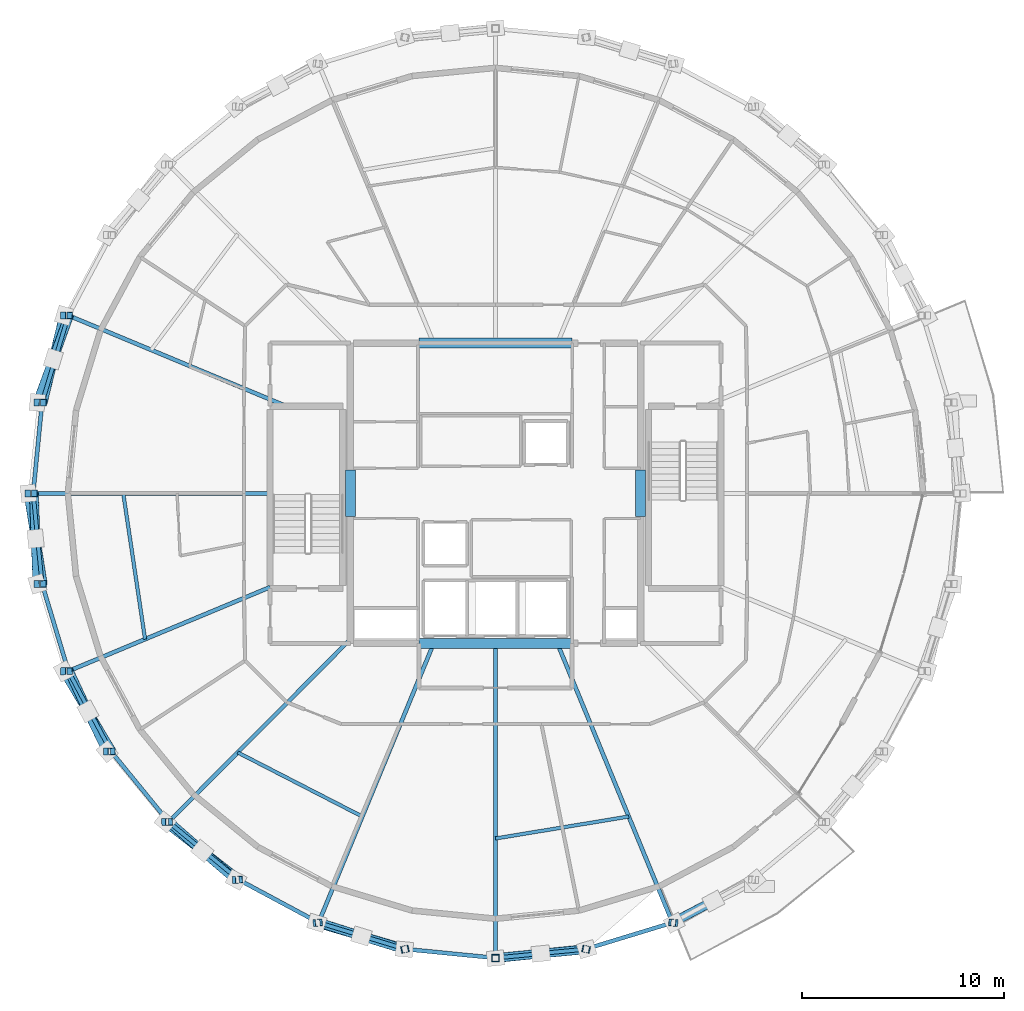
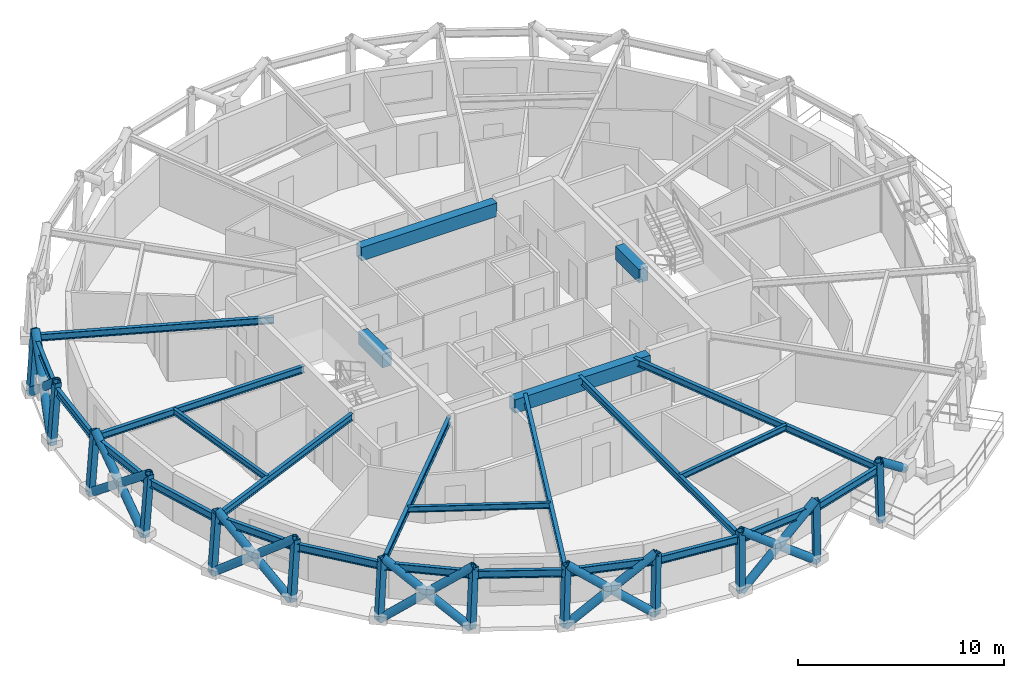
# One storey, part 1 of 12: 32 members, 26 beams.
"""IFC4 building model written with IfcOpenShell, lengths in metres."""

import ifcopenshell
import ifcopenshell.guid

model = None  # the IFC model being written
_history = None  # IfcOwnerHistory: only IFC2X3 demands one
_inside = {}  # id of a spatial element -> (the spatial element, [elements in it])
_under = {}  # id of a project, library or spatial element -> (it, [spatial elements below it])
_declared = {}  # id of a project -> (the project, [libraries it declares])
_typed = {}  # id of a type object -> (the type object, [elements of that type])
_made_of = {}  # id of a material, layer set ... -> (it, [elements and type objects made of it])


def new_model(schema):
    """Start an empty IFC model of exactly this schema.

    Asked for "IFC4X3", IfcOpenShell would pick the latest addendum, in which some entities
    have other attributes; the version numbers below select the first issue.
    IFC2X3 requires an IfcOwnerHistory on every rooted entity: one is made here for all.
    """
    global model, _history
    if schema == "IFC4X3":
        model = ifcopenshell.file(schema_version=(4, 3, 0, 0))
    else:
        model = ifcopenshell.file(schema=schema)
    _inside.clear()
    _under.clear()
    _declared.clear()
    _typed.clear()
    _made_of.clear()
    _history = None
    if model.schema == "IFC2X3":
        org = make("IfcOrganization", Name="unknown")
        user = make(
            "IfcPersonAndOrganization",
            ThePerson=make("IfcPerson", FamilyName="unknown"),
            TheOrganization=org,
        )
        app = make(
            "IfcApplication",
            ApplicationDeveloper=org,
            Version="unknown",
            ApplicationFullName="unknown",
            ApplicationIdentifier="unknown",
        )
        _history = make(
            "IfcOwnerHistory",
            OwningUser=user,
            OwningApplication=app,
            ChangeAction="ADDED",
            CreationDate=0,
        )
    return model


def make(cls, **values):
    """One entity of the class cls with the attributes given. An attribute that is None is left unset."""
    return model.create_entity(
        cls, **{name: value for name, value in values.items() if value is not None}
    )


def rooted(cls, **values):
    """An entity with a GlobalId (a new one), such as an element, a storey or a relation."""
    return make(cls, GlobalId=ifcopenshell.guid.new(), OwnerHistory=_history, **values)


def si_unit(unit_type, name, prefix=None):
    """IfcSIUnit, for example si_unit("LENGTHUNIT", "METRE", prefix="MILLI")."""
    return make("IfcSIUnit", UnitType=unit_type, Prefix=prefix, Name=name)


def assignment(units):
    """IfcUnitAssignment: the units of a project."""
    return None if units is None else make("IfcUnitAssignment", Units=units)


def point(xyz):
    """IfcCartesianPoint."""
    return None if xyz is None else make("IfcCartesianPoint", Coordinates=xyz)


def direction(xyz):
    """IfcDirection."""
    return None if xyz is None else make("IfcDirection", DirectionRatios=xyz)


def frame(location, z_axis=None, x_axis=None):
    """IfcAxis2Placement3D, a coordinate frame: its origin and axes. An axis left out is left unset."""
    return make(
        "IfcAxis2Placement3D",
        Location=point(location),
        Axis=direction(z_axis),
        RefDirection=direction(x_axis),
    )


def frame_2d(location, x_axis=None):
    """IfcAxis2Placement2D, a coordinate frame in the plane: its origin and x axis."""
    return make(
        "IfcAxis2Placement2D", Location=point(location), RefDirection=direction(x_axis)
    )


def origin():
    """The frame at (0, 0, 0) with its axes left unset."""
    return frame((0.0, 0.0, 0.0))


def origin_2d():
    """The frame at (0, 0) in the plane with its x axis left unset."""
    return frame_2d((0.0, 0.0))


def place(relative_to, where):
    """IfcLocalPlacement: puts the frame where relative to a parent placement (None: the world)."""
    return make(
        "IfcLocalPlacement", PlacementRelTo=relative_to, RelativePlacement=where
    )


def context(
    kind, dimensions, precision=None, world=None, true_north=None, identifier=None
):
    """IfcGeometricRepresentationContext, for example the 3D "Model" context."""
    return make(
        "IfcGeometricRepresentationContext",
        ContextIdentifier=identifier,
        ContextType=kind,
        CoordinateSpaceDimension=dimensions,
        Precision=precision,
        WorldCoordinateSystem=world,
        TrueNorth=true_north,
    )


def subcontext(parent, identifier, kind, view, scale=None):
    """IfcGeometricRepresentationSubContext, for example "Body" below "Model"."""
    return make(
        "IfcGeometricRepresentationSubContext",
        ContextIdentifier=identifier,
        ContextType=kind,
        ParentContext=parent,
        TargetScale=scale,
        TargetView=view,
    )


def project(units=None, contexts=None):
    """IfcProject with its units and contexts."""
    return rooted(
        "IfcProject",
        Name="project",
        RepresentationContexts=contexts,
        UnitsInContext=assignment(units),
    )


def spatial(cls, under=None, at=None, **own):
    """A site, building, storey or space (cls), placed at a placement, below another one or the project."""
    s = rooted(cls, ObjectPlacement=at, **own)
    if under is not None:
        _under.setdefault(under.id(), (under, []))[1].append(s)
    return s


def profile(cls, at=None, kind="AREA", **sizes):
    """A parametric profile (cls). Its sizes go by their IFC names, for example OverallWidth=200.0."""
    return make(cls, ProfileType=kind, Position=at, **sizes)


def rectangle(**sizes):
    """IfcRectangleProfileDef."""
    return profile("IfcRectangleProfileDef", **sizes)


def hollow_rectangle(**sizes):
    """IfcRectangleHollowProfileDef."""
    return profile("IfcRectangleHollowProfileDef", **sizes)


def hollow_circle(**sizes):
    """IfcCircleHollowProfileDef."""
    return profile("IfcCircleHollowProfileDef", **sizes)


def i_section(**sizes):
    """IfcIShapeProfileDef."""
    return profile("IfcIShapeProfileDef", **sizes)


def extrude(swept, where, along, depth):
    """IfcExtrudedAreaSolid: the profile swept, set in the frame where, extruded along a direction by depth."""
    return make(
        "IfcExtrudedAreaSolid",
        SweptArea=swept,
        Position=where,
        ExtrudedDirection=direction(along),
        Depth=depth,
    )


def shape(context_of_items, identifier, shape_type, items):
    """IfcShapeRepresentation: the items that make up one representation, for example the "Body"."""
    return make(
        "IfcShapeRepresentation",
        ContextOfItems=context_of_items,
        RepresentationIdentifier=identifier,
        RepresentationType=shape_type,
        Items=items,
    )


def material(Name=None, Category=None):
    """IfcMaterial."""
    return make("IfcMaterial", Name=Name, Category=Category)


def material_profile(
    of_material, cross_section, Name=None, Category=None, Priority=None
):
    """IfcMaterialProfile: a cross section and its material."""
    return make(
        "IfcMaterialProfile",
        Name=Name,
        Material=of_material,
        Profile=cross_section,
        Priority=Priority,
        Category=Category,
    )


def profile_set(profiles, Name=None, composite=None):
    """IfcMaterialProfileSet."""
    return make(
        "IfcMaterialProfileSet",
        Name=Name,
        MaterialProfiles=profiles,
        CompositeProfile=composite,
    )


def made_of(thing, what):
    """Note that an element or type object is made of a material, layer set ...; save() writes the relation."""
    if what is not None:
        _made_of.setdefault(what.id(), (what, []))[1].append(thing)
    return thing


def type_object(cls, material=None, **own):
    """A type object (cls), such as IfcWallType, which elements share."""
    return made_of(rooted(cls, **own), material)


def element(
    cls,
    number,
    at=None,
    inside=None,
    cuts=None,
    type_object=None,
    material=None,
    context=None,
    identifier="Body",
    shape_type=None,
    held_by="IfcProductDefinitionShape",
    body=None,
    shapes=None,
    **own,
):
    """One element of the class cls, such as IfcWall. Its Tag is "e" and its number.

    at: its placement. inside: the storey or other place that contains it. cuts: it is an
    opening in that element (IfcRelVoidsElement). A single representation is given by context,
    identifier, shape_type and body (its items); several are given by shapes. held_by: the class
    of the entity that holds the representations. save() writes the other relations.
    """
    e = rooted(cls, Tag="e%d" % number, ObjectPlacement=at, **own)
    if body is not None:
        shapes = [shape(context, identifier, shape_type, body)]
    if shapes is not None:
        e.Representation = make(held_by, Representations=shapes)
    if inside is not None:
        _inside.setdefault(inside.id(), (inside, []))[1].append(e)
    if cuts is not None:
        rooted(
            "IfcRelVoidsElement", RelatingBuildingElement=cuts, RelatedOpeningElement=e
        )
    if type_object is not None:
        _typed.setdefault(type_object.id(), (type_object, []))[1].append(e)
    return made_of(e, material)


def aggregate(whole, parts):
    """IfcRelAggregates: a whole, such as a stair, and the parts it consists of."""
    return rooted("IfcRelAggregates", RelatingObject=whole, RelatedObjects=parts)


def save(model, path):
    """Write the relations noted so far, then the file.

    IfcRelAggregates (storeys below a building ...), IfcRelContainedInSpatialStructure (elements
    in a storey), IfcRelDefinesByType, IfcRelAssociatesMaterial and IfcRelDeclares: one each for
    every whole, place, type object, material and project.
    """
    for whole, parts in _under.values():
        aggregate(whole, parts)
    for where, things in _inside.values():
        rooted(
            "IfcRelContainedInSpatialStructure",
            RelatedElements=things,
            RelatingStructure=where,
        )
    for kind, things in _typed.values():
        rooted("IfcRelDefinesByType", RelatedObjects=things, RelatingType=kind)
    for what, things in _made_of.values():
        rooted("IfcRelAssociatesMaterial", RelatedObjects=things, RelatingMaterial=what)
    for by, libraries in _declared.values():
        rooted("IfcRelDeclares", RelatingContext=by, RelatedDefinitions=libraries)
    model.write(path)


model = new_model("IFC4")

# Units and contexts
model_context = context("Model", 3, precision=1e-05, world=origin(), true_north=direction((0.0, 1.0)))
body_context = subcontext(model_context, "Body", "Model", "MODEL_VIEW")
ifc_project = project(units=[si_unit("LENGTHUNIT", "METRE"), si_unit("AREAUNIT", "SQUARE_METRE"), si_unit("VOLUMEUNIT", "CUBIC_METRE"), si_unit("PLANEANGLEUNIT", "RADIAN"), si_unit("MASSUNIT", "GRAM", prefix="KILO")], contexts=[model_context])

# Site, building, storey
site_placement = place(None, origin())
site = spatial("IfcSite", under=ifc_project, at=site_placement, CompositionType="ELEMENT")
building_placement = place(site_placement, origin())
building = spatial("IfcBuilding", under=site, at=building_placement, Name="Veldorina Hangang Commons", CompositionType="ELEMENT")
storey_placement = place(building_placement, frame((0.0, 0.0, 247.199951171875)))
storey = spatial("IfcBuildingStorey", under=building, at=storey_placement, Name="L64", CompositionType="ELEMENT", Elevation=247.199951171875)

# Beams
ifc_material_1 = material(Name="Concrete C50/60", Category="concrete")
ifc_material_profile_1 = material_profile(ifc_material_1, rectangle(XDim=0.5, YDim=0.800048828125, at=origin_2d()), Name="RC-CB-500x800")
ifc_profile_set_1 = profile_set([ifc_material_profile_1], Name="Concrete C50/60")
beam_type_1 = type_object("IfcBeamType", Name="BM-CB800", PredefinedType="LINTEL", material=ifc_profile_set_1)
for number, where, z_axis, x_axis, name in (
    (1, (24.800048828125, 22.85009765625, 2.9599609375), (0.0, 1.0, 0.0), (-1.0, 0.0, 0.0), "L64 W core coupling lintel beam"),
    (2, (39.199951171875, 22.85009765625, 2.9599609375), (0.0, 1.0, 0.0), (-1.0, 0.0, 0.0), "L64 E core coupling lintel beam"),
):
    element("IfcBeam", number, at=place(storey_placement, frame(where, z_axis=z_axis, x_axis=x_axis)), inside=storey, type_object=beam_type_1, Name=name, PredefinedType="LINTEL", context=body_context, shape_type="SweptSolid", body=[
        extrude(rectangle(XDim=0.5, YDim=0.800048828125, at=origin_2d()), origin(), (0.0, 0.0, 1.0), 2.2998046875),
    ])
for number, where, z_axis, x_axis, name in (
    (3, (28.199951171875, 16.550048828125, 2.9599609375), (1.0, 0.0, 0.0), (0.0, 1.0, 0.0), "L64 south core coupling beam"),
    (4, (28.199951171875, 31.449951171875, 2.9599609375), (1.0, 0.0, 0.0), (0.0, 1.0, 0.0), "L64 north core coupling beam"),
):
    element("IfcBeam", number, at=place(storey_placement, frame(where, z_axis=z_axis, x_axis=x_axis)), inside=storey, type_object=beam_type_1, Name=name, PredefinedType="LINTEL", context=body_context, shape_type="SweptSolid", body=[
        extrude(rectangle(XDim=0.5, YDim=0.800048828125, at=origin_2d()), origin(), (0.0, 0.0, 1.0), 7.60009765625),
    ])
ifc_material_2 = material(Name="Steel SM355-TMC", Category="steel")
ifc_material_profile_2 = material_profile(ifc_material_2, i_section(OverallWidth=0.199951171875, OverallDepth=0.39990234375, WebThickness=0.008056640625, FlangeThickness=0.012939453125, FilletRadius=0.012939453125, at=origin_2d()), Name="H-400x200x8x13")
ifc_profile_set_2 = profile_set([ifc_material_profile_2], Name="Steel SM355-TMC")
beam_type_2 = type_object("IfcBeamType", Name="BM-FG400", PredefinedType="BEAM", material=ifc_profile_set_2)
beam_1_placement = place(storey_placement, frame((21.624267578125, 28.320068359375, 3.16015625), z_axis=(-0.923178591009, 0.384371290685, 0.0), x_axis=(-0.384371290685, -0.923178591009, 0.0)))
element("IfcBeam", 5, at=beam_1_placement, inside=storey, type_object=beam_type_2, Name="L64 radial floor girder 08", PredefinedType="BEAM", context=body_context, shape_type="SweptSolid", body=[
    extrude(i_section(OverallWidth=0.199951171875, OverallDepth=0.39990234375, WebThickness=0.008056640625, FlangeThickness=0.012939453125, FilletRadius=0.012939453125, at=origin_2d()), origin(), (0.0, 0.0, 1.0), 11.71875),
])
beam_2_placement = place(storey_placement, frame((20.820068359375, 24.0, 3.16015625), z_axis=(-1.0, 0.0, 0.0), x_axis=(0.0, -1.0, 0.0)))
element("IfcBeam", 6, at=beam_2_placement, inside=storey, type_object=beam_type_2, Name="L64 radial floor girder 09", PredefinedType="BEAM", context=body_context, shape_type="SweptSolid", body=[
    extrude(i_section(OverallWidth=0.199951171875, OverallDepth=0.39990234375, WebThickness=0.008056640625, FlangeThickness=0.012939453125, FilletRadius=0.012939453125, at=origin_2d()), origin(), (0.0, 0.0, 1.0), 11.7607421875),
])
beam_3_placement = place(storey_placement, frame((20.820068359375, 19.34521484375, 3.16015625), z_axis=(-0.923174774432, -0.384380457167, 0.0), x_axis=(0.384380457167, -0.923174774432, 0.0)))
element("IfcBeam", 7, at=beam_3_placement, inside=storey, type_object=beam_type_2, Name="L64 radial floor girder 10", PredefinedType="BEAM", context=body_context, shape_type="SweptSolid", body=[
    extrude(i_section(OverallWidth=0.199951171875, OverallDepth=0.39990234375, WebThickness=0.008056640625, FlangeThickness=0.012939453125, FilletRadius=0.012939453125, at=origin_2d()), origin(), (0.0, 0.0, 1.0), 10.847900390625),
])
beam_4_placement = place(storey_placement, frame((24.800048828125, 16.7626953125, 3.16015625), z_axis=(-0.705281678019, -0.708927185718, 0.0), x_axis=(0.708927185718, -0.705281678019, 0.0)))
element("IfcBeam", 8, at=beam_4_placement, inside=storey, type_object=beam_type_2, Name="L64 radial floor girder 11", PredefinedType="BEAM", context=body_context, shape_type="SweptSolid", body=[
    extrude(i_section(OverallWidth=0.199951171875, OverallDepth=0.39990234375, WebThickness=0.008056640625, FlangeThickness=0.012939453125, FilletRadius=0.012939453125, at=origin_2d()), origin(), (0.0, 0.0, 1.0), 12.791259765625),
])
beam_5_placement = place(storey_placement, frame((28.929931640625, 16.550048828125, 3.16015625), z_axis=(-0.381006292102, -0.924572444635, 0.0), x_axis=(0.924572444635, -0.381006292102, 0.0)))
element("IfcBeam", 9, at=beam_5_placement, inside=storey, type_object=beam_type_2, Name="L64 radial floor girder 12", PredefinedType="BEAM", context=body_context, shape_type="SweptSolid", body=[
    extrude(i_section(OverallWidth=0.199951171875, OverallDepth=0.39990234375, WebThickness=0.008056640625, FlangeThickness=0.012939453125, FilletRadius=0.012939453125, at=origin_2d()), origin(), (0.0, 0.0, 1.0), 14.98388671875),
])
beam_6_placement = place(storey_placement, frame((32.0, 16.550048828125, 3.16015625), z_axis=(0.0, -1.0, 0.0), x_axis=(1.0, 0.0, 0.0)))
element("IfcBeam", 10, at=beam_6_placement, inside=storey, type_object=beam_type_2, Name="L64 radial floor girder 13", PredefinedType="BEAM", context=body_context, shape_type="SweptSolid", body=[
    extrude(i_section(OverallWidth=0.199951171875, OverallDepth=0.39990234375, WebThickness=0.008056640625, FlangeThickness=0.012939453125, FilletRadius=0.012939453125, at=origin_2d()), origin(), (0.0, 0.0, 1.0), 15.609130859375),
])
beam_7_placement = place(storey_placement, frame((35.070068359375, 16.550048828125, 3.16015625), z_axis=(0.381006292102, -0.924572444635, 0.0), x_axis=(0.924572444635, 0.381006292102, 0.0)))
element("IfcBeam", 11, at=beam_7_placement, inside=storey, type_object=beam_type_2, Name="L64 radial floor girder 14", PredefinedType="BEAM", context=body_context, shape_type="SweptSolid", body=[
    extrude(i_section(OverallWidth=0.199951171875, OverallDepth=0.39990234375, WebThickness=0.008056640625, FlangeThickness=0.012939453125, FilletRadius=0.012939453125, at=origin_2d()), origin(), (0.0, 0.0, 1.0), 14.98388671875),
])
ifc_material_profile_3 = material_profile(ifc_material_2, i_section(OverallWidth=0.175048828125, OverallDepth=0.35009765625, WebThickness=0.007080078125, FlangeThickness=0.010986328125, FilletRadius=0.012939453125, at=origin_2d()), Name="H-350x175x7x11")
ifc_profile_set_3 = profile_set([ifc_material_profile_3], Name="Steel SM355-TMC")
beam_type_3 = type_object("IfcBeamType", Name="BM-JST350", PredefinedType="JOIST", material=ifc_profile_set_3)
beam_8_placement = place(storey_placement, frame((13.5283203125, 24.0, 3.18505859375), z_axis=(0.147908271966, -0.98900108346, 0.0), x_axis=(0.98900108346, 0.147908271966, 0.0)))
element("IfcBeam", 12, at=beam_8_placement, inside=storey, type_object=beam_type_3, Name="L64 secondary floor joist 09", PredefinedType="JOIST", context=body_context, shape_type="SweptSolid", body=[
    extrude(i_section(OverallWidth=0.175048828125, OverallDepth=0.35009765625, WebThickness=0.007080078125, FlangeThickness=0.010986328125, FilletRadius=0.012939453125, at=origin_2d()), origin(), (0.0, 0.0, 1.0), 7.320556640625),
])
beam_9_placement = place(storey_placement, frame((19.206787109375, 11.140625, 3.18505859375), z_axis=(0.889299634242, -0.45732500537, 0.0), x_axis=(0.45732500537, 0.889299634242, 0.0)))
element("IfcBeam", 13, at=beam_9_placement, inside=storey, type_object=beam_type_3, Name="L64 secondary floor joist 11", PredefinedType="JOIST", context=body_context, shape_type="SweptSolid", body=[
    extrude(i_section(OverallWidth=0.175048828125, OverallDepth=0.35009765625, WebThickness=0.007080078125, FlangeThickness=0.010986328125, FilletRadius=0.012939453125, at=origin_2d()), origin(), (0.0, 0.0, 1.0), 6.953369140625),
])
beam_10_placement = place(storey_placement, frame((32.0, 6.872314453125, 3.18505859375), z_axis=(0.986712190515, 0.162477854147, 0.0), x_axis=(-0.162477854147, 0.986712190515, 0.0)))
element("IfcBeam", 14, at=beam_10_placement, inside=storey, type_object=beam_type_3, Name="L64 secondary floor joist 13", PredefinedType="JOIST", context=body_context, shape_type="SweptSolid", body=[
    extrude(i_section(OverallWidth=0.175048828125, OverallDepth=0.35009765625, WebThickness=0.007080078125, FlangeThickness=0.010986328125, FilletRadius=0.012939453125, at=origin_2d()), origin(), (0.0, 0.0, 1.0), 6.69873046875),
])
ifc_material_profile_4 = material_profile(ifc_material_2, i_section(OverallWidth=0.199951171875, OverallDepth=0.449951171875, WebThickness=0.009033203125, FlangeThickness=0.013916015625, FilletRadius=0.01611328125, at=origin_2d()), Name="H-450x200x9x14")
ifc_profile_set_4 = profile_set([ifc_material_profile_4], Name="Steel SM355-TMC")
beam_type_4 = type_object("IfcBeamType", Name="BM-RB450", PredefinedType="BEAM", material=ifc_profile_set_4)
beam_11_placement = place(storey_placement, frame((10.8056640625, 32.824462890625, 3.135009765625), z_axis=(-0.288948534971, -0.957344631853, 0.0), x_axis=(0.957344631853, -0.288948534971, 0.0)))
element("IfcBeam", 15, at=beam_11_placement, inside=storey, type_object=beam_type_4, Name="L64 perimeter hoop ring beam 14", PredefinedType="BEAM", context=body_context, shape_type="SweptSolid", body=[
    extrude(i_section(OverallWidth=0.199951171875, OverallDepth=0.449951171875, WebThickness=0.009033203125, FlangeThickness=0.013916015625, FilletRadius=0.01611328125, at=origin_2d()), origin(), (0.0, 0.0, 1.0), 4.5185546875),
])
for number, where, z_axis, x_axis, name in (
    (16, (9.5, 28.49853515625, 3.135009765625), (-0.097492749618, -0.995236235158, 0.0), (0.995236235158, -0.097492749618, 0.0), "L64 perimeter hoop ring beam 15"),
    (17, (9.059326171875, 24.0, 3.135009765625), (0.097492749618, -0.995236235158, 0.0), (0.995236235158, 0.097492749618, 0.0), "L64 perimeter hoop ring beam 16"),
):
    element("IfcBeam", number, at=place(storey_placement, frame(where, z_axis=z_axis, x_axis=x_axis)), inside=storey, type_object=beam_type_4, Name=name, PredefinedType="BEAM", context=body_context, shape_type="SweptSolid", body=[
        extrude(i_section(OverallWidth=0.199951171875, OverallDepth=0.449951171875, WebThickness=0.009033203125, FlangeThickness=0.013916015625, FilletRadius=0.01611328125, at=origin_2d()), origin(), (0.0, 0.0, 1.0), 4.52001953125),
    ])
beam_12_placement = place(storey_placement, frame((9.5, 19.50146484375, 3.135009765625), z_axis=(0.288948534971, -0.957344631853, 0.0), x_axis=(0.957344631853, 0.288948534971, 0.0)))
element("IfcBeam", 18, at=beam_12_placement, inside=storey, type_object=beam_type_4, Name="L64 perimeter hoop ring beam 17", PredefinedType="BEAM", context=body_context, shape_type="SweptSolid", body=[
    extrude(i_section(OverallWidth=0.199951171875, OverallDepth=0.449951171875, WebThickness=0.009033203125, FlangeThickness=0.013916015625, FilletRadius=0.01611328125, at=origin_2d()), origin(), (0.0, 0.0, 1.0), 4.5185546875),
])
beam_13_placement = place(storey_placement, frame((10.8056640625, 15.175537109375, 3.135009765625), z_axis=(0.469501773774, -0.882931528729, 0.0), x_axis=(0.882931528729, 0.469501773774, 0.0)))
element("IfcBeam", 19, at=beam_13_placement, inside=storey, type_object=beam_type_4, Name="L64 perimeter hoop ring beam 18", PredefinedType="BEAM", context=body_context, shape_type="SweptSolid", body=[
    extrude(i_section(OverallWidth=0.199951171875, OverallDepth=0.449951171875, WebThickness=0.009033203125, FlangeThickness=0.013916015625, FilletRadius=0.01611328125, at=origin_2d()), origin(), (0.0, 0.0, 1.0), 4.51513671875),
])
beam_14_placement = place(storey_placement, frame((12.925537109375, 11.18896484375, 3.135009765625), z_axis=(0.632438790729, -0.774610338158, 0.0), x_axis=(0.774610338158, 0.632438790729, 0.0)))
element("IfcBeam", 20, at=beam_14_placement, inside=storey, type_object=beam_type_4, Name="L64 perimeter hoop ring beam 19", PredefinedType="BEAM", context=body_context, shape_type="SweptSolid", body=[
    extrude(i_section(OverallWidth=0.199951171875, OverallDepth=0.449951171875, WebThickness=0.009033203125, FlangeThickness=0.013916015625, FilletRadius=0.01611328125, at=origin_2d()), origin(), (0.0, 0.0, 1.0), 4.51123046875),
])
beam_15_placement = place(storey_placement, frame((15.778564453125, 7.694580078125, 3.135009765625), z_axis=(0.771404525715, -0.636345077537, 0.0), x_axis=(0.636345077537, 0.771404525715, 0.0)))
element("IfcBeam", 21, at=beam_15_placement, inside=storey, type_object=beam_type_4, Name="L64 perimeter hoop ring beam 20", PredefinedType="BEAM", context=body_context, shape_type="SweptSolid", body=[
    extrude(i_section(OverallWidth=0.199951171875, OverallDepth=0.449951171875, WebThickness=0.009033203125, FlangeThickness=0.013916015625, FilletRadius=0.01611328125, at=origin_2d()), origin(), (0.0, 0.0, 1.0), 4.506591796875),
])
beam_16_placement = place(storey_placement, frame((19.2548828125, 4.826904296875, 3.135009765625), z_axis=(0.880930378458, -0.473245885676, 0.0), x_axis=(0.473245885676, 0.880930378458, 0.0)))
element("IfcBeam", 22, at=beam_16_placement, inside=storey, type_object=beam_type_4, Name="L64 perimeter hoop ring beam 21", PredefinedType="BEAM", context=body_context, shape_type="SweptSolid", body=[
    extrude(i_section(OverallWidth=0.199951171875, OverallDepth=0.449951171875, WebThickness=0.009033203125, FlangeThickness=0.013916015625, FilletRadius=0.01611328125, at=origin_2d()), origin(), (0.0, 0.0, 1.0), 4.502197265625),
])
beam_17_placement = place(storey_placement, frame((23.220947265625, 2.6962890625, 3.135009765625), z_axis=(0.956503509686, -0.291720818521, 0.0), x_axis=(0.291720818521, 0.956503509686, 0.0)))
element("IfcBeam", 23, at=beam_17_placement, inside=storey, type_object=beam_type_4, Name="L64 perimeter hoop ring beam 22", PredefinedType="BEAM", context=body_context, shape_type="SweptSolid", body=[
    extrude(i_section(OverallWidth=0.199951171875, OverallDepth=0.449951171875, WebThickness=0.009033203125, FlangeThickness=0.013916015625, FilletRadius=0.01611328125, at=origin_2d()), origin(), (0.0, 0.0, 1.0), 4.499267578125),
])
for number, where, z_axis, x_axis, name in (
    (24, (27.5244140625, 1.3837890625, 3.135009765625), (0.995139849028, -0.098471726278, 0.0), (0.098471726278, 0.995139849028, 0.0), "L64 perimeter hoop ring beam 23"),
    (25, (32.0, 0.94091796875, 3.135009765625), (0.995139849028, 0.098471726278, 0.0), (-0.098471726278, 0.995139849028, 0.0), "L64 perimeter hoop ring beam 24"),
):
    element("IfcBeam", number, at=place(storey_placement, frame(where, z_axis=z_axis, x_axis=x_axis)), inside=storey, type_object=beam_type_4, Name=name, PredefinedType="BEAM", context=body_context, shape_type="SweptSolid", body=[
        extrude(i_section(OverallWidth=0.199951171875, OverallDepth=0.449951171875, WebThickness=0.009033203125, FlangeThickness=0.013916015625, FilletRadius=0.01611328125, at=origin_2d()), origin(), (0.0, 0.0, 1.0), 4.49755859375),
    ])
beam_18_placement = place(storey_placement, frame((36.4755859375, 1.3837890625, 3.135009765625), z_axis=(0.956503509686, 0.291720818521, 0.0), x_axis=(-0.291720818521, 0.956503509686, 0.0)))
element("IfcBeam", 26, at=beam_18_placement, inside=storey, type_object=beam_type_4, Name="L64 perimeter hoop ring beam 25", PredefinedType="BEAM", context=body_context, shape_type="SweptSolid", body=[
    extrude(i_section(OverallWidth=0.199951171875, OverallDepth=0.449951171875, WebThickness=0.009033203125, FlangeThickness=0.013916015625, FilletRadius=0.01611328125, at=origin_2d()), origin(), (0.0, 0.0, 1.0), 4.499267578125),
])

# Members
ifc_material_profile_5 = material_profile(ifc_material_2, hollow_circle(Radius=0.22509765625, WallThickness=0.02197265625, at=origin_2d()), Name="CHS-450x22")
ifc_profile_set_5 = profile_set([ifc_material_profile_5], Name="Steel SM355-TMC")
member_type_1 = type_object("IfcMemberType", Name="DG-CHS450", PredefinedType="BRACE", material=ifc_profile_set_5)
member_1_placement = place(storey_placement, frame((10.584716796875, 32.828369140625, 0.0), z_axis=(-0.18326929546, -0.755921912622, 0.628485821128), x_axis=(0.97184554321, -0.23561884505, 0.0)))
element("IfcMember", 27, at=member_1_placement, inside=storey, type_object=member_type_1, Name="L64 continuous perimeter diagrid brace 14", PredefinedType="BRACE", context=body_context, shape_type="SweptSolid", body=[
    extrude(hollow_circle(Radius=0.22509765625, WallThickness=0.02197265625, at=origin_2d()), origin(), (0.0, 0.0, 1.0), 5.728271484375),
])
member_2_placement = place(storey_placement, frame((9.265625, 28.500732421875, 0.0), z_axis=(0.271519023808, 0.739306797523, 0.616200356092), x_axis=(-0.938695674247, 0.344746908832, 0.0)))
element("IfcMember", 28, at=member_2_placement, inside=storey, type_object=member_type_1, Name="L64 split perimeter diagrid lower brace 15", PredefinedType="BRACE", context=body_context, shape_type="SweptSolid", body=[
    extrude(hollow_circle(Radius=0.22509765625, WallThickness=0.02197265625, at=origin_2d()), origin(), (0.0, 0.0, 1.0), 2.923095703125),
])
member_3_placement = place(storey_placement, frame((10.059326171875, 30.661865234375, 1.80126953125), z_axis=(0.266955989971, 0.740800780694, 0.616399791322), x_axis=(-0.940779014247, 0.339020421735, 0.0)))
element("IfcMember", 29, at=member_3_placement, inside=storey, type_object=member_type_1, Name="L64 split perimeter diagrid upper brace 15", PredefinedType="BRACE", context=body_context, shape_type="SweptSolid", body=[
    extrude(hollow_circle(Radius=0.22509765625, WallThickness=0.02197265625, at=origin_2d()), origin(), (0.0, 0.0, 1.0), 2.918212890625),
])
member_4_placement = place(storey_placement, frame((8.8203125, 24.0, 0.0), z_axis=(0.123086184474, -0.774807977084, 0.620098693627), x_axis=(0.987615628914, 0.156892860018, 0.0)))
element("IfcMember", 30, at=member_4_placement, inside=storey, type_object=member_type_1, Name="L64 continuous perimeter diagrid brace 16", PredefinedType="BRACE", context=body_context, shape_type="SweptSolid", body=[
    extrude(hollow_circle(Radius=0.22509765625, WallThickness=0.02197265625, at=origin_2d()), origin(), (0.0, 0.0, 1.0), 5.8056640625),
])
member_5_placement = place(storey_placement, frame((9.265625, 19.499267578125, 0.0), z_axis=(-0.030478917747, 0.780514285298, 0.624394495506), x_axis=(-0.999238427882, -0.03902004925, 0.0)))
element("IfcMember", 31, at=member_5_placement, inside=storey, type_object=member_type_1, Name="L64 split perimeter diagrid lower brace 17", PredefinedType="BRACE", context=body_context, shape_type="SweptSolid", body=[
    extrude(hollow_circle(Radius=0.22509765625, WallThickness=0.02197265625, at=origin_2d()), origin(), (0.0, 0.0, 1.0), 2.883544921875),
])
member_6_placement = place(storey_placement, frame((9.177734375, 21.75, 1.800537109375), z_axis=(-0.028798888842, 0.78061929284, 0.624342969567), x_axis=(-0.999320170727, -0.036867280604, 0.0)))
element("IfcMember", 32, at=member_6_placement, inside=storey, type_object=member_type_1, Name="L64 split perimeter diagrid upper brace 17", PredefinedType="BRACE", context=body_context, shape_type="SweptSolid", body=[
    extrude(hollow_circle(Radius=0.22509765625, WallThickness=0.02197265625, at=origin_2d()), origin(), (0.0, 0.0, 1.0), 2.88232421875),
])
member_7_placement = place(storey_placement, frame((10.584716796875, 15.171630859375, 0.0), z_axis=(0.403948564885, -0.67854538518, 0.613515865465), x_axis=(0.859263661754, 0.511532950639, 0.0)))
element("IfcMember", 33, at=member_7_placement, inside=storey, type_object=member_type_1, Name="L64 continuous perimeter diagrid brace 18", PredefinedType="BRACE", context=body_context, shape_type="SweptSolid", body=[
    extrude(hollow_circle(Radius=0.22509765625, WallThickness=0.02197265625, at=origin_2d()), origin(), (0.0, 0.0, 1.0), 5.867919921875),
])
member_8_placement = place(storey_placement, frame((12.726806640625, 11.18310546875, 0.0), z_axis=(-0.334742991201, 0.699092596654, 0.631835952717), x_axis=(-0.901936092999, -0.431869522131, 0.0)))
element("IfcMember", 34, at=member_8_placement, inside=storey, type_object=member_type_1, Name="L64 split perimeter diagrid lower brace 19", PredefinedType="BRACE", context=body_context, shape_type="SweptSolid", body=[
    extrude(hollow_circle(Radius=0.22509765625, WallThickness=0.02197265625, at=origin_2d()), origin(), (0.0, 0.0, 1.0), 2.853271484375),
])
member_9_placement = place(storey_placement, frame((11.771728515625, 13.177734375, 1.802734375), z_axis=(-0.32803070001, 0.702395843652, 0.63169291485), x_axis=(-0.906061511413, -0.42314600026, 0.0)))
element("IfcMember", 35, at=member_9_placement, inside=storey, type_object=member_type_1, Name="L64 split perimeter diagrid upper brace 19", PredefinedType="BRACE", context=body_context, shape_type="SweptSolid", body=[
    extrude(hollow_circle(Radius=0.22509765625, WallThickness=0.02197265625, at=origin_2d()), origin(), (0.0, 0.0, 1.0), 2.84521484375),
])
member_10_placement = place(storey_placement, frame((15.609375, 7.687255859375, 0.0), z_axis=(0.623403044533, -0.486248561346, 0.612316079044), x_axis=(0.61502722705, 0.788505871879, 0.0)))
element("IfcMember", 36, at=member_10_placement, inside=storey, type_object=member_type_1, Name="L64 continuous perimeter diagrid brace 20", PredefinedType="BRACE", context=body_context, shape_type="SweptSolid", body=[
    extrude(hollow_circle(Radius=0.22509765625, WallThickness=0.02197265625, at=origin_2d()), origin(), (0.0, 0.0, 1.0), 5.87939453125),
])
member_11_placement = place(storey_placement, frame((19.1220703125, 4.818115234375, 0.0), z_axis=(-0.587154549938, 0.503373232483, 0.633928168886), x_axis=(-0.65086434607, -0.759194048326, 0.0)))
element("IfcMember", 37, at=member_11_placement, inside=storey, type_object=member_type_1, Name="L64 split perimeter diagrid lower brace 21", PredefinedType="BRACE", context=body_context, shape_type="SweptSolid", body=[
    extrude(hollow_circle(Radius=0.22509765625, WallThickness=0.02197265625, at=origin_2d()), origin(), (0.0, 0.0, 1.0), 2.849853515625),
])
member_12_placement = place(storey_placement, frame((17.44873046875, 6.252685546875, 1.806640625), z_axis=(-0.58141479457, 0.510053851396, 0.633878462587), x_axis=(-0.659467683912, -0.751732913923, 0.0)))
element("IfcMember", 38, at=member_12_placement, inside=storey, type_object=member_type_1, Name="L64 split perimeter diagrid upper brace 21", PredefinedType="BRACE", context=body_context, shape_type="SweptSolid", body=[
    extrude(hollow_circle(Radius=0.22509765625, WallThickness=0.02197265625, at=origin_2d()), origin(), (0.0, 0.0, 1.0), 2.829345703125),
])
member_13_placement = place(storey_placement, frame((23.12939453125, 2.686279296875, 0.0), z_axis=(0.754607525276, -0.222979806703, 0.617128421481), x_axis=(0.283378381306, 0.95900818193, 0.0)))
element("IfcMember", 39, at=member_13_placement, inside=storey, type_object=member_type_1, Name="L64 continuous perimeter diagrid brace 22", PredefinedType="BRACE", context=body_context, shape_type="SweptSolid", body=[
    extrude(hollow_circle(Radius=0.22509765625, WallThickness=0.02197265625, at=origin_2d()), origin(), (0.0, 0.0, 1.0), 5.833740234375),
])
member_14_placement = place(storey_placement, frame((27.477783203125, 1.37353515625, 0.0), z_axis=(-0.742523172408, 0.229056427985, 0.629438234648), x_axis=(-0.294776751889, -0.955566149749, 0.0)))
element("IfcMember", 40, at=member_14_placement, inside=storey, type_object=member_type_1, Name="L64 split perimeter diagrid lower brace 23", PredefinedType="BRACE", context=body_context, shape_type="SweptSolid", body=[
    extrude(hollow_circle(Radius=0.22509765625, WallThickness=0.02197265625, at=origin_2d()), origin(), (0.0, 0.0, 1.0), 2.875732421875),
])
member_15_placement = place(storey_placement, frame((25.342529296875, 2.0322265625, 1.81005859375), z_axis=(-0.741095936072, 0.233899284896, 0.629339286921), x_axis=(-0.300978068535, -0.953631061921, 0.0)))
element("IfcMember", 41, at=member_15_placement, inside=storey, type_object=member_type_1, Name="L64 split perimeter diagrid upper brace 23", PredefinedType="BRACE", context=body_context, shape_type="SweptSolid", body=[
    extrude(hollow_circle(Radius=0.22509765625, WallThickness=0.02197265625, at=origin_2d()), origin(), (0.0, 0.0, 1.0), 2.84423828125),
])
member_16_placement = place(storey_placement, frame((32.0, 0.930419921875, 0.0), z_axis=(0.776276771364, 0.07905697983, 0.625415356528), x_axis=(-0.101317171143, 0.994854175662, 0.0)))
element("IfcMember", 42, at=member_16_placement, inside=storey, type_object=member_type_1, Name="L64 continuous perimeter diagrid brace 24", PredefinedType="BRACE", context=body_context, shape_type="SweptSolid", body=[
    extrude(hollow_circle(Radius=0.22509765625, WallThickness=0.02197265625, at=origin_2d()), origin(), (0.0, 0.0, 1.0), 5.75634765625),
])
member_17_placement = place(storey_placement, frame((36.522216796875, 1.37353515625, 0.0), z_axis=(-0.780288623516, -0.073531545717, 0.62108193968), x_axis=(0.093820676256, -0.995589112389, 0.0)))
element("IfcMember", 43, at=member_17_placement, inside=storey, type_object=member_type_1, Name="L64 split perimeter diagrid lower brace 25", PredefinedType="BRACE", context=body_context, shape_type="SweptSolid", body=[
    extrude(hollow_circle(Radius=0.22509765625, WallThickness=0.02197265625, at=origin_2d()), origin(), (0.0, 0.0, 1.0), 2.9150390625),
])
member_18_placement = place(storey_placement, frame((34.24755859375, 1.1591796875, 1.810546875), z_axis=(-0.780091396655, -0.075246704348, 0.621124259991), x_axis=(0.096013197286, -0.995380061056, 0.0)))
element("IfcMember", 44, at=member_18_placement, inside=storey, type_object=member_type_1, Name="L64 split perimeter diagrid upper brace 25", PredefinedType="BRACE", context=body_context, shape_type="SweptSolid", body=[
    extrude(hollow_circle(Radius=0.22509765625, WallThickness=0.02197265625, at=origin_2d()), origin(), (0.0, 0.0, 1.0), 2.881103515625),
])
member_19_placement = place(storey_placement, frame((42.806884765625, 3.762451171875, 1.808349609375), z_axis=(-0.699728107359, -0.365010045958, 0.614123963156), x_axis=(0.462500780744, -0.886618874044, 0.0)))
element("IfcMember", 45, at=member_19_placement, inside=storey, type_object=member_type_1, Name="L64 split perimeter diagrid upper brace 27", PredefinedType="BRACE", context=body_context, shape_type="SweptSolid", body=[
    extrude(hollow_circle(Radius=0.22509765625, WallThickness=0.02197265625, at=origin_2d()), origin(), (0.0, 0.0, 1.0), 2.91748046875),
])
ifc_material_profile_6 = material_profile(ifc_material_2, hollow_rectangle(XDim=0.35009765625, YDim=0.35009765625, WallThickness=0.01611328125, at=origin_2d()), Name="SHS-350x350x16")
ifc_profile_set_6 = profile_set([ifc_material_profile_6], Name="Steel SM355-TMC")
member_type_2 = type_object("IfcMemberType", Name="STR-SHS350", PredefinedType="STRUT", material=ifc_profile_set_6)
member_20_placement = place(storey_placement, frame((10.584716796875, 32.828369140625, 0.0), z_axis=(0.070285474531, -0.001285297417, 0.997526089925), x_axis=(0.018283757387, 0.999832838136, 0.0)))
element("IfcMember", 46, at=member_20_placement, inside=storey, type_object=member_type_2, Name="L64 perimeter ring node post 14", PredefinedType="STRUT", context=body_context, shape_type="SweptSolid", body=[
    extrude(hollow_rectangle(XDim=0.35009765625, YDim=0.35009765625, WallThickness=0.01611328125, at=origin_2d()), origin(), (0.0, 0.0, 1.0), 3.609130859375),
])
member_21_placement = place(storey_placement, frame((9.265625, 28.500732421875, 0.0), z_axis=(0.074591548664, -0.000676260641, 0.997213940707), x_axis=(0.009065810559, 0.999958904695, 0.0)))
element("IfcMember", 47, at=member_21_placement, inside=storey, type_object=member_type_2, Name="L64 perimeter ring node post 15", PredefinedType="STRUT", context=body_context, shape_type="SweptSolid", body=[
    extrude(hollow_rectangle(XDim=0.35009765625, YDim=0.35009765625, WallThickness=0.01611328125, at=origin_2d()), origin(), (0.0, 0.0, 1.0), 3.610107421875),
])
member_22_placement = place(storey_placement, frame((8.8203125, 24.0, 0.0), z_axis=(0.076003586044, 0.0, 0.997107544304), x_axis=(0.0, 1.0, 0.0)))
element("IfcMember", 48, at=member_22_placement, inside=storey, type_object=member_type_2, Name="L64 perimeter ring node post 16", PredefinedType="STRUT", context=body_context, shape_type="SweptSolid", body=[
    extrude(hollow_rectangle(XDim=0.35009765625, YDim=0.35009765625, WallThickness=0.01611328125, at=origin_2d()), origin(), (0.0, 0.0, 1.0), 3.610595703125),
])
member_23_placement = place(storey_placement, frame((9.265625, 19.499267578125, 0.0), z_axis=(0.074591548664, 0.000676260641, 0.997213940707), x_axis=(-0.009065810559, 0.999958904695, 0.0)))
element("IfcMember", 49, at=member_23_placement, inside=storey, type_object=member_type_2, Name="L64 perimeter ring node post 17", PredefinedType="STRUT", context=body_context, shape_type="SweptSolid", body=[
    extrude(hollow_rectangle(XDim=0.35009765625, YDim=0.35009765625, WallThickness=0.01611328125, at=origin_2d()), origin(), (0.0, 0.0, 1.0), 3.610107421875),
])
member_24_placement = place(storey_placement, frame((10.584716796875, 15.171630859375, 0.0), z_axis=(0.070285474531, 0.001285297417, 0.997526089925), x_axis=(-0.018283757387, 0.999832838136, 0.0)))
element("IfcMember", 50, at=member_24_placement, inside=storey, type_object=member_type_2, Name="L64 perimeter ring node post 18", PredefinedType="STRUT", context=body_context, shape_type="SweptSolid", body=[
    extrude(hollow_rectangle(XDim=0.35009765625, YDim=0.35009765625, WallThickness=0.01611328125, at=origin_2d()), origin(), (0.0, 0.0, 1.0), 3.609130859375),
])
member_25_placement = place(storey_placement, frame((12.726806640625, 11.18310546875, 0.0), z_axis=(0.063279832655, 0.001895011031, 0.997994023886), x_axis=(-0.029933105153, 0.999551904213, 0.0)))
element("IfcMember", 51, at=member_25_placement, inside=storey, type_object=member_type_2, Name="L64 perimeter ring node post 19", PredefinedType="STRUT", context=body_context, shape_type="SweptSolid", body=[
    extrude(hollow_rectangle(XDim=0.35009765625, YDim=0.35009765625, WallThickness=0.01611328125, at=origin_2d()), origin(), (0.0, 0.0, 1.0), 3.607421875),
])
member_26_placement = place(storey_placement, frame((15.609375, 7.687255859375, 0.0), z_axis=(0.053902112824, 0.002370067775, 0.998543411681), x_axis=(-0.043927406277, 0.999034725612, 0.0)))
element("IfcMember", 52, at=member_26_placement, inside=storey, type_object=member_type_2, Name="L64 perimeter ring node post 20", PredefinedType="STRUT", context=body_context, shape_type="SweptSolid", body=[
    extrude(hollow_rectangle(XDim=0.35009765625, YDim=0.35009765625, WallThickness=0.01611328125, at=origin_2d()), origin(), (0.0, 0.0, 1.0), 3.60546875),
])
member_27_placement = place(storey_placement, frame((19.1220703125, 4.818115234375, 0.0), z_axis=(0.04234618479, 0.002845663618, 0.999098945467), x_axis=(-0.067048779749, 0.997749698639, 0.0)))
element("IfcMember", 53, at=member_27_placement, inside=storey, type_object=member_type_2, Name="L64 perimeter ring node post 21", PredefinedType="STRUT", context=body_context, shape_type="SweptSolid", body=[
    extrude(hollow_rectangle(XDim=0.35009765625, YDim=0.35009765625, WallThickness=0.01611328125, at=origin_2d()), origin(), (0.0, 0.0, 1.0), 3.603271484375),
])
member_28_placement = place(storey_placement, frame((23.12939453125, 2.686279296875, 0.0), z_axis=(0.029215646526, 0.003118143249, 0.999568268394), x_axis=(-0.106125811292, 0.994352710147, 0.0)))
element("IfcMember", 54, at=member_28_placement, inside=storey, type_object=member_type_2, Name="L64 perimeter ring node post 22", PredefinedType="STRUT", context=body_context, shape_type="SweptSolid", body=[
    extrude(hollow_rectangle(XDim=0.35009765625, YDim=0.35009765625, WallThickness=0.01611328125, at=origin_2d()), origin(), (0.0, 0.0, 1.0), 3.6015625),
])
member_29_placement = place(storey_placement, frame((27.477783203125, 1.37353515625, 0.0), z_axis=(0.014917557676, 0.003322546937, 0.999883206757), x_axis=(-0.217400205052, 0.976082553293, 0.0)))
element("IfcMember", 55, at=member_29_placement, inside=storey, type_object=member_type_2, Name="L64 perimeter ring node post 23", PredefinedType="STRUT", context=body_context, shape_type="SweptSolid", body=[
    extrude(hollow_rectangle(XDim=0.35009765625, YDim=0.35009765625, WallThickness=0.01611328125, at=origin_2d()), origin(), (0.0, 0.0, 1.0), 3.6005859375),
])
member_30_placement = place(storey_placement, frame((32.0, 0.930419921875, 0.0), z_axis=(0.0, 0.003322916688, 0.999994479097), x_axis=(-1.0, 0.0, 0.0)))
element("IfcMember", 56, at=member_30_placement, inside=storey, type_object=member_type_2, Name="L64 perimeter ring node post 24", PredefinedType="STRUT", context=body_context, shape_type="SweptSolid", body=[
    extrude(hollow_rectangle(XDim=0.35009765625, YDim=0.35009765625, WallThickness=0.01611328125, at=origin_2d()), origin(), (0.0, 0.0, 1.0), 3.60009765625),
])
member_31_placement = place(storey_placement, frame((36.522216796875, 1.37353515625, 0.0), z_axis=(-0.014917557676, 0.003322546937, 0.999883206757), x_axis=(-0.217400205052, -0.976082553293, 0.0)))
element("IfcMember", 57, at=member_31_placement, inside=storey, type_object=member_type_2, Name="L64 perimeter ring node post 25", PredefinedType="STRUT", context=body_context, shape_type="SweptSolid", body=[
    extrude(hollow_rectangle(XDim=0.35009765625, YDim=0.35009765625, WallThickness=0.01611328125, at=origin_2d()), origin(), (0.0, 0.0, 1.0), 3.6005859375),
])
member_32_placement = place(storey_placement, frame((40.87060546875, 2.686279296875, 0.0), z_axis=(-0.029215646526, 0.003118143249, 0.999568268394), x_axis=(-0.106125811292, -0.994352710147, 0.0)))
element("IfcMember", 58, at=member_32_placement, inside=storey, type_object=member_type_2, Name="L64 perimeter ring node post 26", PredefinedType="STRUT", context=body_context, shape_type="SweptSolid", body=[
    extrude(hollow_rectangle(XDim=0.35009765625, YDim=0.35009765625, WallThickness=0.01611328125, at=origin_2d()), origin(), (0.0, 0.0, 1.0), 3.6015625),
])

save(model, "model.ifc")
